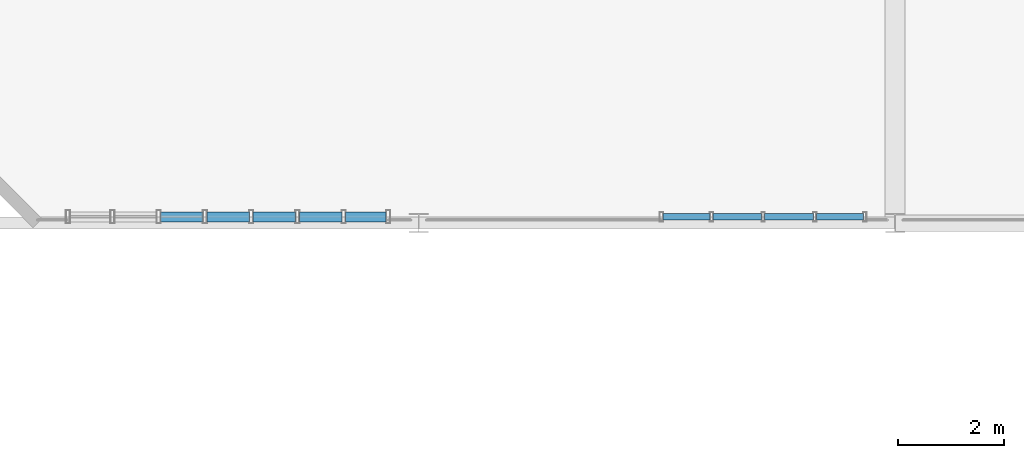
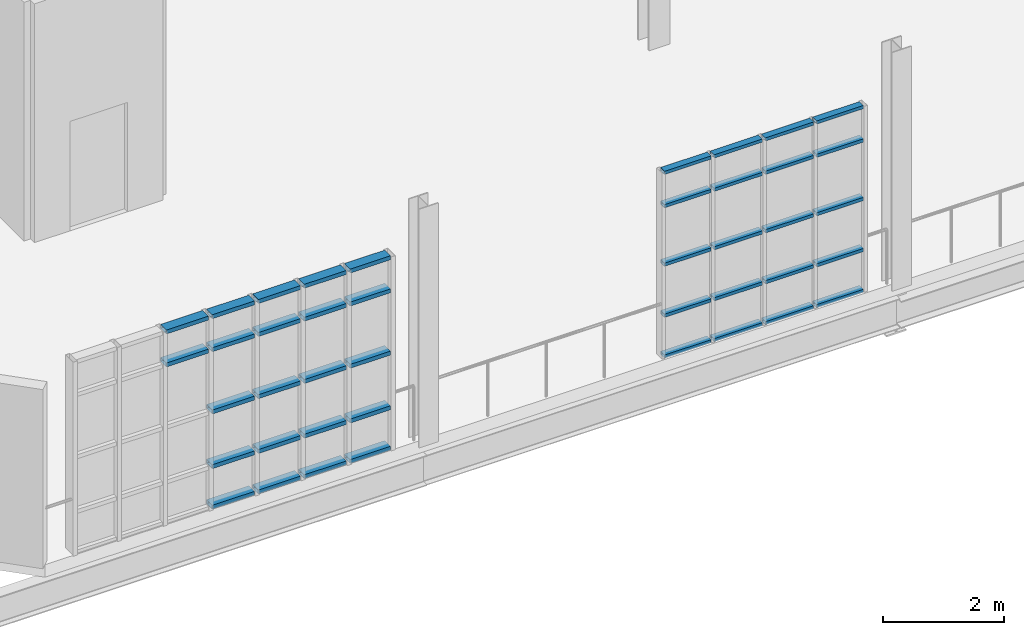
# One storey, part 56 of 85: 42 members, 2 elements without a shape of their own.
"""IFC4 building model written with IfcOpenShell, lengths in metres."""

from ifc_helpers import new_model, si_unit, direction, frame, origin, origin_2d, place, context, subcontext, project, spatial, hollow_rectangle, extrude, material, layer, layer_set, material_profile, profile_set, type_object, element, aggregate, save


model = new_model("IFC4")

# Units and contexts
model_context = context("Model", 3, precision=1e-05, world=origin(), true_north=direction((0.0, 1.0)))
body_context = subcontext(model_context, "Body", "Model", "MODEL_VIEW")
ifc_project = project(units=[si_unit("LENGTHUNIT", "METRE"), si_unit("AREAUNIT", "SQUARE_METRE"), si_unit("VOLUMEUNIT", "CUBIC_METRE"), si_unit("PLANEANGLEUNIT", "RADIAN"), si_unit("MASSUNIT", "GRAM", prefix="KILO"), si_unit("THERMODYNAMICTEMPERATUREUNIT", "KELVIN"), si_unit("POWERUNIT", "WATT")], contexts=[model_context])

# Site, building, storey
site_placement = place(None, origin())
site = spatial("IfcSite", under=ifc_project, at=site_placement, CompositionType="ELEMENT")
building_placement = place(site_placement, origin())
building = spatial("IfcBuilding", under=site, at=building_placement, Name="Zelmaris Science Centre", CompositionType="ELEMENT")
storey_placement = place(building_placement, frame((0.0, 0.0, 20.39990234375)))
storey = spatial("IfcBuildingStorey", under=building, at=storey_placement, Name="L04", CompositionType="ELEMENT", Elevation=20.39990234375)

# Curtain wall, members
ifc_material = material(Name="Anodised architectural aluminium 6063-T6", Category="aluminium")
ifc_layer_1 = layer(ifc_material, 0.2099609375, Name="Anodised architectural aluminium 6063-T6")
ifc_layer_set_1 = layer_set([ifc_layer_1], Name="Anodised architectural aluminium 6063-T6")
curtain_wall_type_1 = type_object("IfcCurtainWallType", Name="Curtain Wall CW-03", PredefinedType="USERDEFINED", material=ifc_layer_set_1)
curtain_wall_1_placement = place(storey_placement, origin())
curtain_wall_1 = element("IfcCurtainWall", 1, at=curtain_wall_1_placement, inside=storey, type_object=curtain_wall_type_1, Name="L04 Unitised curtain wall 355", ObjectType="GLAZED CURTAIN WALL", PredefinedType="USERDEFINED")
ifc_material_profile_1 = material_profile(ifc_material, hollow_rectangle(XDim=0.06494140625, YDim=0.1298828125, WallThickness=0.00341796875, at=origin_2d()), Name="ALU-TRN-65X130")
ifc_profile_set_1 = profile_set([ifc_material_profile_1], Name="Anodised architectural aluminium 6063-T6")
member_type_1 = type_object("IfcMemberType", Name="ALU-TRN-65X130", PredefinedType="USERDEFINED", material=ifc_profile_set_1)
member_1_placement = place(storey_placement, frame((71.403076171875, 64.1201171875, 0.013671875), z_axis=(-1.0, 0.0, 0.0), x_axis=(0.0, 0.0, 1.0)))
member_1 = element("IfcMember", 2, at=member_1_placement, type_object=member_type_1, Name="CW-03 transom 1.1", ObjectType="TRANSOM", PredefinedType="USERDEFINED", context=body_context, shape_type="SweptSolid", body=[
    extrude(hollow_rectangle(XDim=0.06494140625, YDim=0.1298828125, WallThickness=0.00341796875, at=origin_2d()), origin(), (0.0, 0.0, 1.0), 0.8896484375),
])
member_2_placement = place(storey_placement, frame((71.403076171875, 64.1201171875, 0.835205078125), z_axis=(-1.0, 0.0, 0.0), x_axis=(0.0, 0.0, 1.0)))
member_2 = element("IfcMember", 3, at=member_2_placement, type_object=member_type_1, Name="CW-03 transom 1.2", ObjectType="TRANSOM", PredefinedType="USERDEFINED", context=body_context, shape_type="SweptSolid", body=[
    extrude(hollow_rectangle(XDim=0.06494140625, YDim=0.1298828125, WallThickness=0.00341796875, at=origin_2d()), origin(), (0.0, 0.0, 1.0), 0.8896484375),
])
member_3_placement = place(storey_placement, frame((71.403076171875, 64.1201171875, 1.861572265625), z_axis=(-1.0, 0.0, 0.0), x_axis=(0.0, 0.0, 1.0)))
member_3 = element("IfcMember", 4, at=member_3_placement, type_object=member_type_1, Name="CW-03 transom 1.3", ObjectType="TRANSOM", PredefinedType="USERDEFINED", context=body_context, shape_type="SweptSolid", body=[
    extrude(hollow_rectangle(XDim=0.06494140625, YDim=0.1298828125, WallThickness=0.00341796875, at=origin_2d()), origin(), (0.0, 0.0, 1.0), 0.8896484375),
])
member_4_placement = place(storey_placement, frame((71.403076171875, 64.1201171875, 3.0380859375), z_axis=(-1.0, 0.0, 0.0), x_axis=(0.0, 0.0, 1.0)))
member_4 = element("IfcMember", 5, at=member_4_placement, type_object=member_type_1, Name="CW-03 transom 1.4", ObjectType="TRANSOM", PredefinedType="USERDEFINED", context=body_context, shape_type="SweptSolid", body=[
    extrude(hollow_rectangle(XDim=0.06494140625, YDim=0.1298828125, WallThickness=0.00341796875, at=origin_2d()), origin(), (0.0, 0.0, 1.0), 0.8896484375),
])
member_5_placement = place(storey_placement, frame((71.403076171875, 64.1201171875, 3.709716796875), z_axis=(-1.0, 0.0, 0.0), x_axis=(0.0, 0.0, 1.0)))
member_5 = element("IfcMember", 6, at=member_5_placement, type_object=member_type_1, Name="CW-03 transom 1.5", ObjectType="TRANSOM", PredefinedType="USERDEFINED", context=body_context, shape_type="SweptSolid", body=[
    extrude(hollow_rectangle(XDim=0.06494140625, YDim=0.1298828125, WallThickness=0.00341796875, at=origin_2d()), origin(), (0.0, 0.0, 1.0), 0.8896484375),
])
member_6_placement = place(storey_placement, frame((70.45654296875, 64.1201171875, 0.013671875), z_axis=(-1.0, 0.0, 0.0), x_axis=(0.0, 0.0, 1.0)))
member_6 = element("IfcMember", 7, at=member_6_placement, type_object=member_type_1, Name="CW-03 transom 2.1", ObjectType="TRANSOM", PredefinedType="USERDEFINED", context=body_context, shape_type="SweptSolid", body=[
    extrude(hollow_rectangle(XDim=0.06494140625, YDim=0.1298828125, WallThickness=0.00341796875, at=origin_2d()), origin(), (0.0, 0.0, 1.0), 0.91796875),
])
member_7_placement = place(storey_placement, frame((70.45654296875, 64.1201171875, 0.835205078125), z_axis=(-1.0, 0.0, 0.0), x_axis=(0.0, 0.0, 1.0)))
member_7 = element("IfcMember", 8, at=member_7_placement, type_object=member_type_1, Name="CW-03 transom 2.2", ObjectType="TRANSOM", PredefinedType="USERDEFINED", context=body_context, shape_type="SweptSolid", body=[
    extrude(hollow_rectangle(XDim=0.06494140625, YDim=0.1298828125, WallThickness=0.00341796875, at=origin_2d()), origin(), (0.0, 0.0, 1.0), 0.91796875),
])
member_8_placement = place(storey_placement, frame((70.45654296875, 64.1201171875, 1.861572265625), z_axis=(-1.0, 0.0, 0.0), x_axis=(0.0, 0.0, 1.0)))
member_8 = element("IfcMember", 9, at=member_8_placement, type_object=member_type_1, Name="CW-03 transom 2.3", ObjectType="TRANSOM", PredefinedType="USERDEFINED", context=body_context, shape_type="SweptSolid", body=[
    extrude(hollow_rectangle(XDim=0.06494140625, YDim=0.1298828125, WallThickness=0.00341796875, at=origin_2d()), origin(), (0.0, 0.0, 1.0), 0.91796875),
])
member_9_placement = place(storey_placement, frame((70.45654296875, 64.1201171875, 3.0380859375), z_axis=(-1.0, 0.0, 0.0), x_axis=(0.0, 0.0, 1.0)))
member_9 = element("IfcMember", 10, at=member_9_placement, type_object=member_type_1, Name="CW-03 transom 2.4", ObjectType="TRANSOM", PredefinedType="USERDEFINED", context=body_context, shape_type="SweptSolid", body=[
    extrude(hollow_rectangle(XDim=0.06494140625, YDim=0.1298828125, WallThickness=0.00341796875, at=origin_2d()), origin(), (0.0, 0.0, 1.0), 0.91796875),
])
member_10_placement = place(storey_placement, frame((70.45654296875, 64.1201171875, 3.709716796875), z_axis=(-1.0, 0.0, 0.0), x_axis=(0.0, 0.0, 1.0)))
member_10 = element("IfcMember", 11, at=member_10_placement, type_object=member_type_1, Name="CW-03 transom 2.5", ObjectType="TRANSOM", PredefinedType="USERDEFINED", context=body_context, shape_type="SweptSolid", body=[
    extrude(hollow_rectangle(XDim=0.06494140625, YDim=0.1298828125, WallThickness=0.00341796875, at=origin_2d()), origin(), (0.0, 0.0, 1.0), 0.91796875),
])
member_11_placement = place(storey_placement, frame((69.4814453125, 64.1201171875, 0.013671875), z_axis=(-1.0, 0.0, 0.0), x_axis=(0.0, 0.0, 1.0)))
member_11 = element("IfcMember", 12, at=member_11_placement, type_object=member_type_1, Name="CW-03 transom 3.1", ObjectType="TRANSOM", PredefinedType="USERDEFINED", context=body_context, shape_type="SweptSolid", body=[
    extrude(hollow_rectangle(XDim=0.06494140625, YDim=0.1298828125, WallThickness=0.00341796875, at=origin_2d()), origin(), (0.0, 0.0, 1.0), 0.91796875),
])
member_12_placement = place(storey_placement, frame((69.4814453125, 64.1201171875, 0.835205078125), z_axis=(-1.0, 0.0, 0.0), x_axis=(0.0, 0.0, 1.0)))
member_12 = element("IfcMember", 13, at=member_12_placement, type_object=member_type_1, Name="CW-03 transom 3.2", ObjectType="TRANSOM", PredefinedType="USERDEFINED", context=body_context, shape_type="SweptSolid", body=[
    extrude(hollow_rectangle(XDim=0.06494140625, YDim=0.1298828125, WallThickness=0.00341796875, at=origin_2d()), origin(), (0.0, 0.0, 1.0), 0.91796875),
])
member_13_placement = place(storey_placement, frame((69.4814453125, 64.1201171875, 1.861572265625), z_axis=(-1.0, 0.0, 0.0), x_axis=(0.0, 0.0, 1.0)))
member_13 = element("IfcMember", 14, at=member_13_placement, type_object=member_type_1, Name="CW-03 transom 3.3", ObjectType="TRANSOM", PredefinedType="USERDEFINED", context=body_context, shape_type="SweptSolid", body=[
    extrude(hollow_rectangle(XDim=0.06494140625, YDim=0.1298828125, WallThickness=0.00341796875, at=origin_2d()), origin(), (0.0, 0.0, 1.0), 0.91796875),
])
member_14_placement = place(storey_placement, frame((69.4814453125, 64.1201171875, 3.0380859375), z_axis=(-1.0, 0.0, 0.0), x_axis=(0.0, 0.0, 1.0)))
member_14 = element("IfcMember", 15, at=member_14_placement, type_object=member_type_1, Name="CW-03 transom 3.4", ObjectType="TRANSOM", PredefinedType="USERDEFINED", context=body_context, shape_type="SweptSolid", body=[
    extrude(hollow_rectangle(XDim=0.06494140625, YDim=0.1298828125, WallThickness=0.00341796875, at=origin_2d()), origin(), (0.0, 0.0, 1.0), 0.91796875),
])
member_15_placement = place(storey_placement, frame((69.4814453125, 64.1201171875, 3.709716796875), z_axis=(-1.0, 0.0, 0.0), x_axis=(0.0, 0.0, 1.0)))
member_15 = element("IfcMember", 16, at=member_15_placement, type_object=member_type_1, Name="CW-03 transom 3.5", ObjectType="TRANSOM", PredefinedType="USERDEFINED", context=body_context, shape_type="SweptSolid", body=[
    extrude(hollow_rectangle(XDim=0.06494140625, YDim=0.1298828125, WallThickness=0.00341796875, at=origin_2d()), origin(), (0.0, 0.0, 1.0), 0.91796875),
])
member_16_placement = place(storey_placement, frame((68.506591796875, 64.1201171875, 0.013671875), z_axis=(-1.0, 0.0, 0.0), x_axis=(0.0, 0.0, 1.0)))
member_16 = element("IfcMember", 17, at=member_16_placement, type_object=member_type_1, Name="CW-03 transom 4.1", ObjectType="TRANSOM", PredefinedType="USERDEFINED", context=body_context, shape_type="SweptSolid", body=[
    extrude(hollow_rectangle(XDim=0.06494140625, YDim=0.1298828125, WallThickness=0.00341796875, at=origin_2d()), origin(), (0.0, 0.0, 1.0), 0.8896484375),
])
member_17_placement = place(storey_placement, frame((68.506591796875, 64.1201171875, 0.835205078125), z_axis=(-1.0, 0.0, 0.0), x_axis=(0.0, 0.0, 1.0)))
member_17 = element("IfcMember", 18, at=member_17_placement, type_object=member_type_1, Name="CW-03 transom 4.2", ObjectType="TRANSOM", PredefinedType="USERDEFINED", context=body_context, shape_type="SweptSolid", body=[
    extrude(hollow_rectangle(XDim=0.06494140625, YDim=0.1298828125, WallThickness=0.00341796875, at=origin_2d()), origin(), (0.0, 0.0, 1.0), 0.8896484375),
])
member_18_placement = place(storey_placement, frame((68.506591796875, 64.1201171875, 1.861572265625), z_axis=(-1.0, 0.0, 0.0), x_axis=(0.0, 0.0, 1.0)))
member_18 = element("IfcMember", 19, at=member_18_placement, type_object=member_type_1, Name="CW-03 transom 4.3", ObjectType="TRANSOM", PredefinedType="USERDEFINED", context=body_context, shape_type="SweptSolid", body=[
    extrude(hollow_rectangle(XDim=0.06494140625, YDim=0.1298828125, WallThickness=0.00341796875, at=origin_2d()), origin(), (0.0, 0.0, 1.0), 0.8896484375),
])
member_19_placement = place(storey_placement, frame((68.506591796875, 64.1201171875, 3.0380859375), z_axis=(-1.0, 0.0, 0.0), x_axis=(0.0, 0.0, 1.0)))
member_19 = element("IfcMember", 20, at=member_19_placement, type_object=member_type_1, Name="CW-03 transom 4.4", ObjectType="TRANSOM", PredefinedType="USERDEFINED", context=body_context, shape_type="SweptSolid", body=[
    extrude(hollow_rectangle(XDim=0.06494140625, YDim=0.1298828125, WallThickness=0.00341796875, at=origin_2d()), origin(), (0.0, 0.0, 1.0), 0.8896484375),
])
member_20_placement = place(storey_placement, frame((68.506591796875, 64.1201171875, 3.709716796875), z_axis=(-1.0, 0.0, 0.0), x_axis=(0.0, 0.0, 1.0)))
member_20 = element("IfcMember", 21, at=member_20_placement, type_object=member_type_1, Name="CW-03 transom 4.5", ObjectType="TRANSOM", PredefinedType="USERDEFINED", context=body_context, shape_type="SweptSolid", body=[
    extrude(hollow_rectangle(XDim=0.06494140625, YDim=0.1298828125, WallThickness=0.00341796875, at=origin_2d()), origin(), (0.0, 0.0, 1.0), 0.8896484375),
])
aggregate(curtain_wall_1, [member_1, member_2, member_3, member_4, member_5, member_6, member_7, member_8, member_9, member_10, member_11, member_12, member_13, member_14, member_15, member_16, member_17, member_18, member_19, member_20])

ifc_layer_2 = layer(ifc_material, 0.18994140625, Name="Anodised architectural aluminium 6063-T6")
ifc_layer_set_2 = layer_set([ifc_layer_2], Name="Anodised architectural aluminium 6063-T6")
curtain_wall_type_2 = type_object("IfcCurtainWallType", Name="Curtain Wall CW-01", PredefinedType="USERDEFINED", material=ifc_layer_set_2)
curtain_wall_2_placement = place(storey_placement, origin())
curtain_wall_2 = element("IfcCurtainWall", 22, at=curtain_wall_2_placement, inside=storey, type_object=curtain_wall_type_2, Name="L04 Unitised curtain wall 357", ObjectType="GLAZED CURTAIN WALL", PredefinedType="USERDEFINED")
ifc_material_profile_2 = material_profile(ifc_material, hollow_rectangle(XDim=0.080078125, YDim=0.18994140625, WallThickness=0.00439453125, at=origin_2d()), Name="ALU-TRN-80X190")
ifc_profile_set_2 = profile_set([ifc_material_profile_2], Name="Anodised architectural aluminium 6063-T6")
member_type_2 = type_object("IfcMemberType", Name="ALU-TRN-80X190", PredefinedType="USERDEFINED", material=ifc_profile_set_2)
member_21_placement = place(storey_placement, frame((62.387939453125, 64.1201171875, 0.02099609375), z_axis=(-1.0, 0.0, 0.0), x_axis=(0.0, 0.0, 1.0)))
member_21 = element("IfcMember", 23, at=member_21_placement, type_object=member_type_2, Name="CW-01 transom 1.1", ObjectType="TRANSOM", PredefinedType="USERDEFINED", context=body_context, shape_type="SweptSolid", body=[
    extrude(hollow_rectangle(XDim=0.080078125, YDim=0.18994140625, WallThickness=0.00439453125, at=origin_2d()), origin(), (0.0, 0.0, 1.0), 0.76611328125),
])
member_22_placement = place(storey_placement, frame((62.387939453125, 64.1201171875, 0.835205078125), z_axis=(-1.0, 0.0, 0.0), x_axis=(0.0, 0.0, 1.0)))
member_22 = element("IfcMember", 24, at=member_22_placement, type_object=member_type_2, Name="CW-01 transom 1.2", ObjectType="TRANSOM", PredefinedType="USERDEFINED", context=body_context, shape_type="SweptSolid", body=[
    extrude(hollow_rectangle(XDim=0.080078125, YDim=0.18994140625, WallThickness=0.00439453125, at=origin_2d()), origin(), (0.0, 0.0, 1.0), 0.76611328125),
])
member_23_placement = place(storey_placement, frame((62.387939453125, 64.1201171875, 1.9365234375), z_axis=(-1.0, 0.0, 0.0), x_axis=(0.0, 0.0, 1.0)))
member_23 = element("IfcMember", 25, at=member_23_placement, type_object=member_type_2, Name="CW-01 transom 1.3", ObjectType="TRANSOM", PredefinedType="USERDEFINED", context=body_context, shape_type="SweptSolid", body=[
    extrude(hollow_rectangle(XDim=0.080078125, YDim=0.18994140625, WallThickness=0.00439453125, at=origin_2d()), origin(), (0.0, 0.0, 1.0), 0.76611328125),
])
member_24_placement = place(storey_placement, frame((62.387939453125, 64.1201171875, 3.18798828125), z_axis=(-1.0, 0.0, 0.0), x_axis=(0.0, 0.0, 1.0)))
member_24 = element("IfcMember", 26, at=member_24_placement, type_object=member_type_2, Name="CW-01 transom 1.4", ObjectType="TRANSOM", PredefinedType="USERDEFINED", context=body_context, shape_type="SweptSolid", body=[
    extrude(hollow_rectangle(XDim=0.080078125, YDim=0.18994140625, WallThickness=0.00439453125, at=origin_2d()), origin(), (0.0, 0.0, 1.0), 0.76611328125),
])
member_25_placement = place(storey_placement, frame((62.387939453125, 64.1201171875, 3.85205078125), z_axis=(-1.0, 0.0, 0.0), x_axis=(0.0, 0.0, 1.0)))
member_25 = element("IfcMember", 27, at=member_25_placement, type_object=member_type_2, Name="CW-01 transom 1.5", ObjectType="TRANSOM", PredefinedType="USERDEFINED", context=body_context, shape_type="SweptSolid", body=[
    extrude(hollow_rectangle(XDim=0.080078125, YDim=0.18994140625, WallThickness=0.00439453125, at=origin_2d()), origin(), (0.0, 0.0, 1.0), 0.76611328125),
])
member_26_placement = place(storey_placement, frame((61.5498046875, 64.1201171875, 0.02099609375), z_axis=(-1.0, 0.0, 0.0), x_axis=(0.0, 0.0, 1.0)))
member_26 = element("IfcMember", 28, at=member_26_placement, type_object=member_type_2, Name="CW-01 transom 2.1", ObjectType="TRANSOM", PredefinedType="USERDEFINED", context=body_context, shape_type="SweptSolid", body=[
    extrude(hollow_rectangle(XDim=0.080078125, YDim=0.18994140625, WallThickness=0.00439453125, at=origin_2d()), origin(), (0.0, 0.0, 1.0), 0.802490234375),
])
member_27_placement = place(storey_placement, frame((61.5498046875, 64.1201171875, 0.835205078125), z_axis=(-1.0, 0.0, 0.0), x_axis=(0.0, 0.0, 1.0)))
member_27 = element("IfcMember", 29, at=member_27_placement, type_object=member_type_2, Name="CW-01 transom 2.2", ObjectType="TRANSOM", PredefinedType="USERDEFINED", context=body_context, shape_type="SweptSolid", body=[
    extrude(hollow_rectangle(XDim=0.080078125, YDim=0.18994140625, WallThickness=0.00439453125, at=origin_2d()), origin(), (0.0, 0.0, 1.0), 0.802490234375),
])
member_28_placement = place(storey_placement, frame((61.5498046875, 64.1201171875, 1.9365234375), z_axis=(-1.0, 0.0, 0.0), x_axis=(0.0, 0.0, 1.0)))
member_28 = element("IfcMember", 30, at=member_28_placement, type_object=member_type_2, Name="CW-01 transom 2.3", ObjectType="TRANSOM", PredefinedType="USERDEFINED", context=body_context, shape_type="SweptSolid", body=[
    extrude(hollow_rectangle(XDim=0.080078125, YDim=0.18994140625, WallThickness=0.00439453125, at=origin_2d()), origin(), (0.0, 0.0, 1.0), 0.802490234375),
])
member_29_placement = place(storey_placement, frame((61.5498046875, 64.1201171875, 3.18798828125), z_axis=(-1.0, 0.0, 0.0), x_axis=(0.0, 0.0, 1.0)))
member_29 = element("IfcMember", 31, at=member_29_placement, type_object=member_type_2, Name="CW-01 transom 2.4", ObjectType="TRANSOM", PredefinedType="USERDEFINED", context=body_context, shape_type="SweptSolid", body=[
    extrude(hollow_rectangle(XDim=0.080078125, YDim=0.18994140625, WallThickness=0.00439453125, at=origin_2d()), origin(), (0.0, 0.0, 1.0), 0.802490234375),
])
member_30_placement = place(storey_placement, frame((61.5498046875, 64.1201171875, 3.85205078125), z_axis=(-1.0, 0.0, 0.0), x_axis=(0.0, 0.0, 1.0)))
member_30 = element("IfcMember", 32, at=member_30_placement, type_object=member_type_2, Name="CW-01 transom 2.5", ObjectType="TRANSOM", PredefinedType="USERDEFINED", context=body_context, shape_type="SweptSolid", body=[
    extrude(hollow_rectangle(XDim=0.080078125, YDim=0.18994140625, WallThickness=0.00439453125, at=origin_2d()), origin(), (0.0, 0.0, 1.0), 0.802490234375),
])
member_31_placement = place(storey_placement, frame((60.675537109375, 64.1201171875, 0.02099609375), z_axis=(-1.0, 0.0, 0.0), x_axis=(0.0, 0.0, 1.0)))
member_31 = element("IfcMember", 33, at=member_31_placement, type_object=member_type_2, Name="CW-01 transom 3.1", ObjectType="TRANSOM", PredefinedType="USERDEFINED", context=body_context, shape_type="SweptSolid", body=[
    extrude(hollow_rectangle(XDim=0.080078125, YDim=0.18994140625, WallThickness=0.00439453125, at=origin_2d()), origin(), (0.0, 0.0, 1.0), 0.802490234375),
])
member_32_placement = place(storey_placement, frame((60.675537109375, 64.1201171875, 0.835205078125), z_axis=(-1.0, 0.0, 0.0), x_axis=(0.0, 0.0, 1.0)))
member_32 = element("IfcMember", 34, at=member_32_placement, type_object=member_type_2, Name="CW-01 transom 3.2", ObjectType="TRANSOM", PredefinedType="USERDEFINED", context=body_context, shape_type="SweptSolid", body=[
    extrude(hollow_rectangle(XDim=0.080078125, YDim=0.18994140625, WallThickness=0.00439453125, at=origin_2d()), origin(), (0.0, 0.0, 1.0), 0.802490234375),
])
member_33_placement = place(storey_placement, frame((60.675537109375, 64.1201171875, 1.9365234375), z_axis=(-1.0, 0.0, 0.0), x_axis=(0.0, 0.0, 1.0)))
member_33 = element("IfcMember", 35, at=member_33_placement, type_object=member_type_2, Name="CW-01 transom 3.3", ObjectType="TRANSOM", PredefinedType="USERDEFINED", context=body_context, shape_type="SweptSolid", body=[
    extrude(hollow_rectangle(XDim=0.080078125, YDim=0.18994140625, WallThickness=0.00439453125, at=origin_2d()), origin(), (0.0, 0.0, 1.0), 0.802490234375),
])
member_34_placement = place(storey_placement, frame((60.675537109375, 64.1201171875, 3.18798828125), z_axis=(-1.0, 0.0, 0.0), x_axis=(0.0, 0.0, 1.0)))
member_34 = element("IfcMember", 36, at=member_34_placement, type_object=member_type_2, Name="CW-01 transom 3.4", ObjectType="TRANSOM", PredefinedType="USERDEFINED", context=body_context, shape_type="SweptSolid", body=[
    extrude(hollow_rectangle(XDim=0.080078125, YDim=0.18994140625, WallThickness=0.00439453125, at=origin_2d()), origin(), (0.0, 0.0, 1.0), 0.802490234375),
])
member_35_placement = place(storey_placement, frame((60.675537109375, 64.1201171875, 3.85205078125), z_axis=(-1.0, 0.0, 0.0), x_axis=(0.0, 0.0, 1.0)))
member_35 = element("IfcMember", 37, at=member_35_placement, type_object=member_type_2, Name="CW-01 transom 3.5", ObjectType="TRANSOM", PredefinedType="USERDEFINED", context=body_context, shape_type="SweptSolid", body=[
    extrude(hollow_rectangle(XDim=0.080078125, YDim=0.18994140625, WallThickness=0.00439453125, at=origin_2d()), origin(), (0.0, 0.0, 1.0), 0.802490234375),
])
member_36_placement = place(storey_placement, frame((59.801025390625, 64.1201171875, 0.02099609375), z_axis=(-1.0, 0.0, 0.0), x_axis=(0.0, 0.0, 1.0)))
member_36 = element("IfcMember", 38, at=member_36_placement, type_object=member_type_2, Name="CW-01 transom 4.1", ObjectType="TRANSOM", PredefinedType="USERDEFINED", context=body_context, shape_type="SweptSolid", body=[
    extrude(hollow_rectangle(XDim=0.080078125, YDim=0.18994140625, WallThickness=0.00439453125, at=origin_2d()), origin(), (0.0, 0.0, 1.0), 0.80224609375),
])
member_37_placement = place(storey_placement, frame((59.801025390625, 64.1201171875, 0.835205078125), z_axis=(-1.0, 0.0, 0.0), x_axis=(0.0, 0.0, 1.0)))
member_37 = element("IfcMember", 39, at=member_37_placement, type_object=member_type_2, Name="CW-01 transom 4.2", ObjectType="TRANSOM", PredefinedType="USERDEFINED", context=body_context, shape_type="SweptSolid", body=[
    extrude(hollow_rectangle(XDim=0.080078125, YDim=0.18994140625, WallThickness=0.00439453125, at=origin_2d()), origin(), (0.0, 0.0, 1.0), 0.80224609375),
])
member_38_placement = place(storey_placement, frame((59.801025390625, 64.1201171875, 1.9365234375), z_axis=(-1.0, 0.0, 0.0), x_axis=(0.0, 0.0, 1.0)))
member_38 = element("IfcMember", 40, at=member_38_placement, type_object=member_type_2, Name="CW-01 transom 4.3", ObjectType="TRANSOM", PredefinedType="USERDEFINED", context=body_context, shape_type="SweptSolid", body=[
    extrude(hollow_rectangle(XDim=0.080078125, YDim=0.18994140625, WallThickness=0.00439453125, at=origin_2d()), origin(), (0.0, 0.0, 1.0), 0.80224609375),
])
member_39_placement = place(storey_placement, frame((59.801025390625, 64.1201171875, 3.18798828125), z_axis=(-1.0, 0.0, 0.0), x_axis=(0.0, 0.0, 1.0)))
member_39 = element("IfcMember", 41, at=member_39_placement, type_object=member_type_2, Name="CW-01 transom 4.4", ObjectType="TRANSOM", PredefinedType="USERDEFINED", context=body_context, shape_type="SweptSolid", body=[
    extrude(hollow_rectangle(XDim=0.080078125, YDim=0.18994140625, WallThickness=0.00439453125, at=origin_2d()), origin(), (0.0, 0.0, 1.0), 0.80224609375),
])
member_40_placement = place(storey_placement, frame((59.801025390625, 64.1201171875, 3.85205078125), z_axis=(-1.0, 0.0, 0.0), x_axis=(0.0, 0.0, 1.0)))
member_40 = element("IfcMember", 42, at=member_40_placement, type_object=member_type_2, Name="CW-01 transom 4.5", ObjectType="TRANSOM", PredefinedType="USERDEFINED", context=body_context, shape_type="SweptSolid", body=[
    extrude(hollow_rectangle(XDim=0.080078125, YDim=0.18994140625, WallThickness=0.00439453125, at=origin_2d()), origin(), (0.0, 0.0, 1.0), 0.80224609375),
])
member_41_placement = place(storey_placement, frame((58.9267578125, 64.1201171875, 3.18798828125), z_axis=(-1.0, 0.0, 0.0), x_axis=(0.0, 0.0, 1.0)))
member_41 = element("IfcMember", 43, at=member_41_placement, type_object=member_type_2, Name="CW-01 transom 5.4", ObjectType="TRANSOM", PredefinedType="USERDEFINED", context=body_context, shape_type="SweptSolid", body=[
    extrude(hollow_rectangle(XDim=0.080078125, YDim=0.18994140625, WallThickness=0.00439453125, at=origin_2d()), origin(), (0.0, 0.0, 1.0), 0.80224609375),
])
member_42_placement = place(storey_placement, frame((58.9267578125, 64.1201171875, 3.85205078125), z_axis=(-1.0, 0.0, 0.0), x_axis=(0.0, 0.0, 1.0)))
member_42 = element("IfcMember", 44, at=member_42_placement, type_object=member_type_2, Name="CW-01 transom 5.5", ObjectType="TRANSOM", PredefinedType="USERDEFINED", context=body_context, shape_type="SweptSolid", body=[
    extrude(hollow_rectangle(XDim=0.080078125, YDim=0.18994140625, WallThickness=0.00439453125, at=origin_2d()), origin(), (0.0, 0.0, 1.0), 0.80224609375),
])
aggregate(curtain_wall_2, [member_21, member_22, member_23, member_24, member_25, member_26, member_27, member_28, member_29, member_30, member_31, member_32, member_33, member_34, member_35, member_36, member_37, member_38, member_39, member_40, member_41, member_42])

save(model, "model.ifc")
